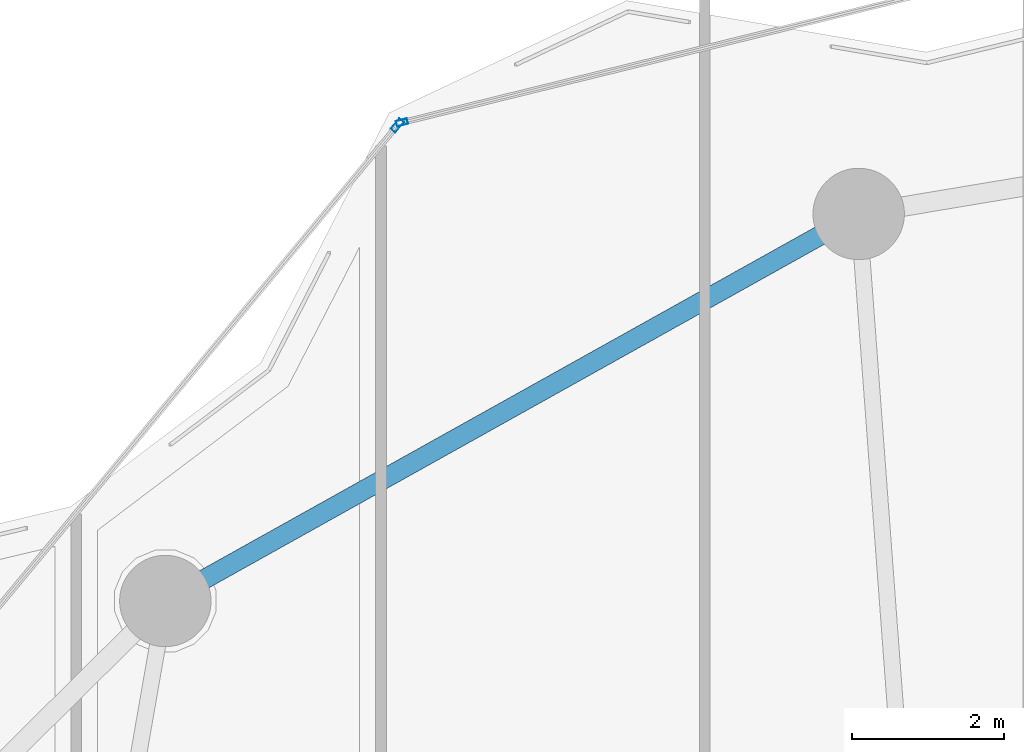
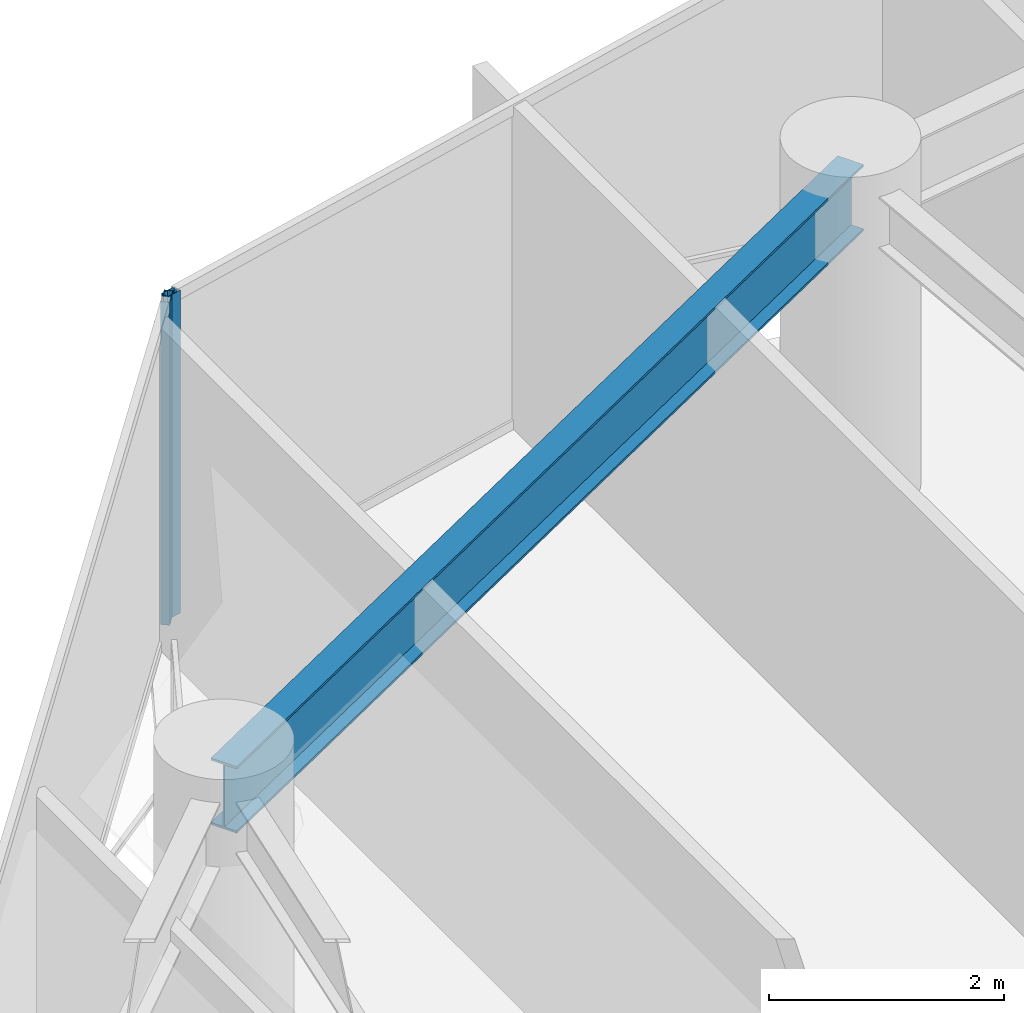
# One storey, part 17 of 28: 2 members, 1 beam, 2 elements without a shape of their own.
"""IFC4 building model written with IfcOpenShell, lengths in metres."""

import ifcopenshell
import ifcopenshell.guid

model = None  # the IFC model being written
_history = None  # IfcOwnerHistory: only IFC2X3 demands one
_inside = {}  # id of a spatial element -> (the spatial element, [elements in it])
_under = {}  # id of a project, library or spatial element -> (it, [spatial elements below it])
_declared = {}  # id of a project -> (the project, [libraries it declares])
_typed = {}  # id of a type object -> (the type object, [elements of that type])
_made_of = {}  # id of a material, layer set ... -> (it, [elements and type objects made of it])


def new_model(schema):
    """Start an empty IFC model of exactly this schema.

    Asked for "IFC4X3", IfcOpenShell would pick the latest addendum, in which some entities
    have other attributes; the version numbers below select the first issue.
    IFC2X3 requires an IfcOwnerHistory on every rooted entity: one is made here for all.
    """
    global model, _history
    if schema == "IFC4X3":
        model = ifcopenshell.file(schema_version=(4, 3, 0, 0))
    else:
        model = ifcopenshell.file(schema=schema)
    _inside.clear()
    _under.clear()
    _declared.clear()
    _typed.clear()
    _made_of.clear()
    _history = None
    if model.schema == "IFC2X3":
        org = make("IfcOrganization", Name="unknown")
        user = make(
            "IfcPersonAndOrganization",
            ThePerson=make("IfcPerson", FamilyName="unknown"),
            TheOrganization=org,
        )
        app = make(
            "IfcApplication",
            ApplicationDeveloper=org,
            Version="unknown",
            ApplicationFullName="unknown",
            ApplicationIdentifier="unknown",
        )
        _history = make(
            "IfcOwnerHistory",
            OwningUser=user,
            OwningApplication=app,
            ChangeAction="ADDED",
            CreationDate=0,
        )
    return model


def make(cls, **values):
    """One entity of the class cls with the attributes given. An attribute that is None is left unset."""
    return model.create_entity(
        cls, **{name: value for name, value in values.items() if value is not None}
    )


def rooted(cls, **values):
    """An entity with a GlobalId (a new one), such as an element, a storey or a relation."""
    return make(cls, GlobalId=ifcopenshell.guid.new(), OwnerHistory=_history, **values)


def si_unit(unit_type, name, prefix=None):
    """IfcSIUnit, for example si_unit("LENGTHUNIT", "METRE", prefix="MILLI")."""
    return make("IfcSIUnit", UnitType=unit_type, Prefix=prefix, Name=name)


def assignment(units):
    """IfcUnitAssignment: the units of a project."""
    return None if units is None else make("IfcUnitAssignment", Units=units)


def point(xyz):
    """IfcCartesianPoint."""
    return None if xyz is None else make("IfcCartesianPoint", Coordinates=xyz)


def direction(xyz):
    """IfcDirection."""
    return None if xyz is None else make("IfcDirection", DirectionRatios=xyz)


def frame(location, z_axis=None, x_axis=None):
    """IfcAxis2Placement3D, a coordinate frame: its origin and axes. An axis left out is left unset."""
    return make(
        "IfcAxis2Placement3D",
        Location=point(location),
        Axis=direction(z_axis),
        RefDirection=direction(x_axis),
    )


def frame_2d(location, x_axis=None):
    """IfcAxis2Placement2D, a coordinate frame in the plane: its origin and x axis."""
    return make(
        "IfcAxis2Placement2D", Location=point(location), RefDirection=direction(x_axis)
    )


def origin():
    """The frame at (0, 0, 0) with its axes left unset."""
    return frame((0.0, 0.0, 0.0))


def origin_2d():
    """The frame at (0, 0) in the plane with its x axis left unset."""
    return frame_2d((0.0, 0.0))


def place(relative_to, where):
    """IfcLocalPlacement: puts the frame where relative to a parent placement (None: the world)."""
    return make(
        "IfcLocalPlacement", PlacementRelTo=relative_to, RelativePlacement=where
    )


def context(
    kind, dimensions, precision=None, world=None, true_north=None, identifier=None
):
    """IfcGeometricRepresentationContext, for example the 3D "Model" context."""
    return make(
        "IfcGeometricRepresentationContext",
        ContextIdentifier=identifier,
        ContextType=kind,
        CoordinateSpaceDimension=dimensions,
        Precision=precision,
        WorldCoordinateSystem=world,
        TrueNorth=true_north,
    )


def subcontext(parent, identifier, kind, view, scale=None):
    """IfcGeometricRepresentationSubContext, for example "Body" below "Model"."""
    return make(
        "IfcGeometricRepresentationSubContext",
        ContextIdentifier=identifier,
        ContextType=kind,
        ParentContext=parent,
        TargetScale=scale,
        TargetView=view,
    )


def project(units=None, contexts=None):
    """IfcProject with its units and contexts."""
    return rooted(
        "IfcProject",
        Name="project",
        RepresentationContexts=contexts,
        UnitsInContext=assignment(units),
    )


def spatial(cls, under=None, at=None, **own):
    """A site, building, storey or space (cls), placed at a placement, below another one or the project."""
    s = rooted(cls, ObjectPlacement=at, **own)
    if under is not None:
        _under.setdefault(under.id(), (under, []))[1].append(s)
    return s


def profile(cls, at=None, kind="AREA", **sizes):
    """A parametric profile (cls). Its sizes go by their IFC names, for example OverallWidth=200.0."""
    return make(cls, ProfileType=kind, Position=at, **sizes)


def hollow_rectangle(**sizes):
    """IfcRectangleHollowProfileDef."""
    return profile("IfcRectangleHollowProfileDef", **sizes)


def i_section(**sizes):
    """IfcIShapeProfileDef."""
    return profile("IfcIShapeProfileDef", **sizes)


def extrude(swept, where, along, depth):
    """IfcExtrudedAreaSolid: the profile swept, set in the frame where, extruded along a direction by depth."""
    return make(
        "IfcExtrudedAreaSolid",
        SweptArea=swept,
        Position=where,
        ExtrudedDirection=direction(along),
        Depth=depth,
    )


def shape(context_of_items, identifier, shape_type, items):
    """IfcShapeRepresentation: the items that make up one representation, for example the "Body"."""
    return make(
        "IfcShapeRepresentation",
        ContextOfItems=context_of_items,
        RepresentationIdentifier=identifier,
        RepresentationType=shape_type,
        Items=items,
    )


def material(Name=None, Category=None):
    """IfcMaterial."""
    return make("IfcMaterial", Name=Name, Category=Category)


def layer(
    of_material, thickness, ventilated=None, Name=None, Category=None, Priority=None
):
    """IfcMaterialLayer: one layer of a wall or slab, of a material (None: an air gap)."""
    return make(
        "IfcMaterialLayer",
        Material=of_material,
        LayerThickness=thickness,
        IsVentilated=ventilated,
        Name=Name,
        Category=Category,
        Priority=Priority,
    )


def layer_set(layers, Name=None):
    """IfcMaterialLayerSet."""
    return make("IfcMaterialLayerSet", MaterialLayers=layers, LayerSetName=Name)


def material_profile(
    of_material, cross_section, Name=None, Category=None, Priority=None
):
    """IfcMaterialProfile: a cross section and its material."""
    return make(
        "IfcMaterialProfile",
        Name=Name,
        Material=of_material,
        Profile=cross_section,
        Priority=Priority,
        Category=Category,
    )


def profile_set(profiles, Name=None, composite=None):
    """IfcMaterialProfileSet."""
    return make(
        "IfcMaterialProfileSet",
        Name=Name,
        MaterialProfiles=profiles,
        CompositeProfile=composite,
    )


def made_of(thing, what):
    """Note that an element or type object is made of a material, layer set ...; save() writes the relation."""
    if what is not None:
        _made_of.setdefault(what.id(), (what, []))[1].append(thing)
    return thing


def type_object(cls, material=None, **own):
    """A type object (cls), such as IfcWallType, which elements share."""
    return made_of(rooted(cls, **own), material)


def element(
    cls,
    number,
    at=None,
    inside=None,
    cuts=None,
    type_object=None,
    material=None,
    context=None,
    identifier="Body",
    shape_type=None,
    held_by="IfcProductDefinitionShape",
    body=None,
    shapes=None,
    **own,
):
    """One element of the class cls, such as IfcWall. Its Tag is "e" and its number.

    at: its placement. inside: the storey or other place that contains it. cuts: it is an
    opening in that element (IfcRelVoidsElement). A single representation is given by context,
    identifier, shape_type and body (its items); several are given by shapes. held_by: the class
    of the entity that holds the representations. save() writes the other relations.
    """
    e = rooted(cls, Tag="e%d" % number, ObjectPlacement=at, **own)
    if body is not None:
        shapes = [shape(context, identifier, shape_type, body)]
    if shapes is not None:
        e.Representation = make(held_by, Representations=shapes)
    if inside is not None:
        _inside.setdefault(inside.id(), (inside, []))[1].append(e)
    if cuts is not None:
        rooted(
            "IfcRelVoidsElement", RelatingBuildingElement=cuts, RelatedOpeningElement=e
        )
    if type_object is not None:
        _typed.setdefault(type_object.id(), (type_object, []))[1].append(e)
    return made_of(e, material)


def aggregate(whole, parts):
    """IfcRelAggregates: a whole, such as a stair, and the parts it consists of."""
    return rooted("IfcRelAggregates", RelatingObject=whole, RelatedObjects=parts)


def save(model, path):
    """Write the relations noted so far, then the file.

    IfcRelAggregates (storeys below a building ...), IfcRelContainedInSpatialStructure (elements
    in a storey), IfcRelDefinesByType, IfcRelAssociatesMaterial and IfcRelDeclares: one each for
    every whole, place, type object, material and project.
    """
    for whole, parts in _under.values():
        aggregate(whole, parts)
    for where, things in _inside.values():
        rooted(
            "IfcRelContainedInSpatialStructure",
            RelatedElements=things,
            RelatingStructure=where,
        )
    for kind, things in _typed.values():
        rooted("IfcRelDefinesByType", RelatedObjects=things, RelatingType=kind)
    for what, things in _made_of.values():
        rooted("IfcRelAssociatesMaterial", RelatedObjects=things, RelatingMaterial=what)
    for by, libraries in _declared.values():
        rooted("IfcRelDeclares", RelatingContext=by, RelatedDefinitions=libraries)
    model.write(path)


model = new_model("IFC4")

# Units and contexts
model_context = context("Model", 3, precision=1e-05, world=origin(), true_north=direction((0.0, 1.0)))
body_context = subcontext(model_context, "Body", "Model", "MODEL_VIEW")
ifc_project = project(units=[si_unit("LENGTHUNIT", "METRE"), si_unit("AREAUNIT", "SQUARE_METRE"), si_unit("VOLUMEUNIT", "CUBIC_METRE"), si_unit("PLANEANGLEUNIT", "RADIAN"), si_unit("MASSUNIT", "GRAM", prefix="KILO")], contexts=[model_context])

# Site, building, storey
site_placement = place(None, origin())
site = spatial("IfcSite", under=ifc_project, at=site_placement, CompositionType="ELEMENT")
building_placement = place(site_placement, origin())
building = spatial("IfcBuilding", under=site, at=building_placement, Name="Kazevale Care Tower and Concert Hall", CompositionType="ELEMENT")
storey_placement = place(building_placement, frame((0.0, 0.0, 109.800048828125)))
storey = spatial("IfcBuildingStorey", under=building, at=storey_placement, Name="L28", CompositionType="ELEMENT", Elevation=109.800048828125)

# Curtain wall, member
ifc_material_1 = material(Name="Aluminium 6063-T6 and Low-E Glass", Category="aluminium")
ifc_layer_1 = layer(ifc_material_1, 0.179931640625)
ifc_layer_set_1 = layer_set([ifc_layer_1], Name="Aluminium 6063-T6 and Low-E Glass")
curtain_wall_type_1 = type_object("IfcCurtainWallType", Name="Convex Checkerboard Finned Curtain Wall CW-2", PredefinedType="NOTDEFINED", material=ifc_layer_set_1)
curtain_wall_1_placement = place(storey_placement, origin())
curtain_wall_1 = element("IfcCurtainWall", 1, at=curtain_wall_1_placement, inside=storey, type_object=curtain_wall_type_1, Name="cw:L28:f14", PredefinedType="NOTDEFINED")
ifc_material_2 = material(Name="Aluminium 6063-T6", Category="aluminium")
ifc_material_profile_1 = material_profile(ifc_material_2, hollow_rectangle(XDim=0.080078125, YDim=0.179931640625, WallThickness=0.0048828125, at=origin_2d()), Name="ALU80x180x5")
ifc_profile_set_1 = profile_set([ifc_material_profile_1], Name="Aluminium 6063-T6")
member_type_1 = type_object("IfcMemberType", Name="CW-2 Mullion ALU80x180x5", PredefinedType="MULLION", material=ifc_profile_set_1)
member_1_placement = place(storey_placement, frame((28.214599609375, 60.8212890625, 0.0), z_axis=(0.0, 0.0, 1.0), x_axis=(-0.770049579196, 0.637984048061, 0.0)))
member_1 = element("IfcMember", 2, at=member_1_placement, type_object=member_type_1, Name="CW-2 mullion 2", PredefinedType="MULLION", context=body_context, shape_type="SweptSolid", body=[
    extrude(hollow_rectangle(XDim=0.080078125, YDim=0.179931640625, WallThickness=0.0048828125, at=origin_2d()), origin(), (0.0, 0.0, 1.0), 3.35986328125),
])
aggregate(curtain_wall_1, [member_1])

ifc_layer_2 = layer(ifc_material_1, 0.179931640625)
ifc_layer_set_2 = layer_set([ifc_layer_2], Name="Aluminium 6063-T6 and Low-E Glass")
curtain_wall_type_2 = type_object("IfcCurtainWallType", Name="Convex Recessed Sunroom Curtain Wall CW-3", PredefinedType="NOTDEFINED", material=ifc_layer_set_2)
curtain_wall_2_placement = place(storey_placement, origin())
curtain_wall_2 = element("IfcCurtainWall", 3, at=curtain_wall_2_placement, inside=storey, type_object=curtain_wall_type_2, Name="cw:L28:f15", PredefinedType="NOTDEFINED")
ifc_material_profile_2 = material_profile(ifc_material_2, hollow_rectangle(XDim=0.074951171875, YDim=0.14990234375, WallThickness=0.00390625, at=origin_2d()), Name="ALU75x150x4")
ifc_profile_set_2 = profile_set([ifc_material_profile_2], Name="Aluminium 6063-T6")
member_type_2 = type_object("IfcMemberType", Name="CW-3 Mullion ALU75x150x4", PredefinedType="MULLION", material=ifc_profile_set_2)
member_2_placement = place(storey_placement, frame((28.2763671875, 60.861083984375, 0.0), z_axis=(0.0, 0.0, 1.0), x_axis=(-0.239088999495, 0.970997657217, 0.0)))
member_2 = element("IfcMember", 4, at=member_2_placement, type_object=member_type_2, Name="CW-3 mullion 1", PredefinedType="MULLION", context=body_context, shape_type="SweptSolid", body=[
    extrude(hollow_rectangle(XDim=0.074951171875, YDim=0.14990234375, WallThickness=0.00390625, at=origin_2d()), origin(), (0.0, 0.0, 1.0), 3.35986328125),
])
aggregate(curtain_wall_2, [member_2])

# Beam
ifc_material_3 = material(Name="Steel ASTM A572 Gr 50", Category="steel")
ifc_material_profile_3 = material_profile(ifc_material_3, i_section(OverallWidth=0.256103515625, OverallDepth=0.693115234375, WebThickness=0.014404296875, FlangeThickness=0.023681640625, at=origin_2d()), Name="W690x170")
ifc_profile_set_3 = profile_set([ifc_material_profile_3], Name="Steel ASTM A572 Gr 50")
beam_type = type_object("IfcBeamType", Name="Waist Ring Beam W690x170", PredefinedType="BEAM", material=ifc_profile_set_3)
beam_placement = place(storey_placement, frame((34.27001953125, 59.659912109375, 3.013427734375), z_axis=(-0.873168720251, -0.487418081297, 0.0), x_axis=(0.487418081297, -0.873168720251, 0.0)))
element("IfcBeam", 5, at=beam_placement, inside=storey, type_object=beam_type, Name="beam:L28:ring:06", PredefinedType="BEAM", context=body_context, shape_type="SweptSolid", body=[
    extrude(i_section(OverallWidth=0.256103515625, OverallDepth=0.693115234375, WebThickness=0.014404296875, FlangeThickness=0.023681640625, at=origin_2d()), origin(), (0.0, 0.0, 1.0), 10.421875),
])

save(model, "model.ifc")
